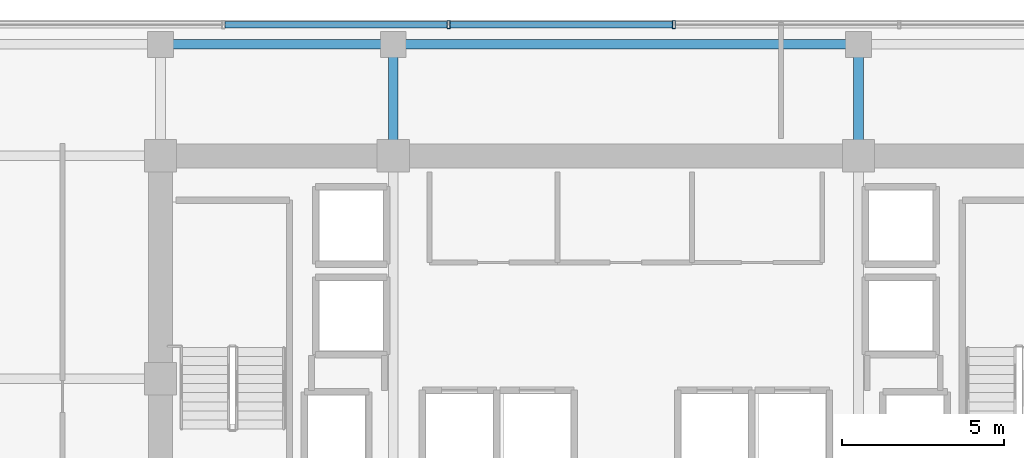
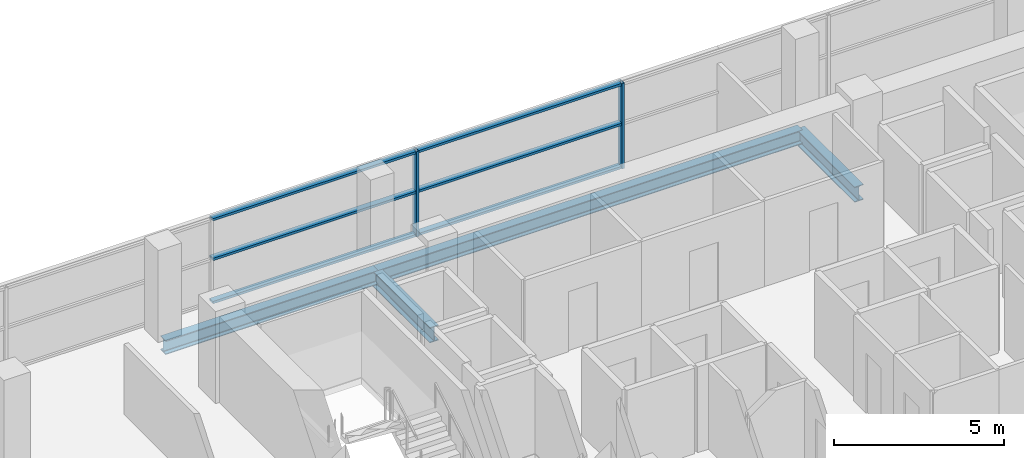
# One storey, part 16 of 27: 8 members, 4 beams, 1 element without a shape of its own.
"""IFC4 building model written with IfcOpenShell, lengths in metres."""

from ifc_helpers import new_model, si_unit, direction, frame, origin, origin_2d, place, context, subcontext, project, spatial, hollow_rectangle, i_section, extrude, source, transform, mapped, material, layer, layer_set, material_profile, profile_set, type_object, element, aggregate, save


model = new_model("IFC4")

# Units and contexts
model_context = context("Model", 3, precision=1e-05, world=origin(), true_north=direction((0.0, 1.0)))
body_context = subcontext(model_context, "Body", "Model", "MODEL_VIEW")
ifc_project = project(units=[si_unit("LENGTHUNIT", "METRE"), si_unit("AREAUNIT", "SQUARE_METRE"), si_unit("VOLUMEUNIT", "CUBIC_METRE"), si_unit("PLANEANGLEUNIT", "RADIAN"), si_unit("MASSUNIT", "GRAM", prefix="KILO")], contexts=[model_context])

# Site, building, storey
site_placement = place(None, origin())
site = spatial("IfcSite", under=ifc_project, at=site_placement, CompositionType="ELEMENT")
building_placement = place(site_placement, origin())
building = spatial("IfcBuilding", under=site, at=building_placement, Name="Zarnakvel Exchange Tower", CompositionType="ELEMENT")
storey_placement = place(building_placement, frame((0.0, 0.0, 96.699951171875)))
storey = spatial("IfcBuildingStorey", under=building, at=storey_placement, Name="L26", CompositionType="ELEMENT", Elevation=96.699951171875)

# Beams
ifc_material_1 = material(Name="Steel S355", Category="steel")
ifc_material_profile_1 = material_profile(ifc_material_1, i_section(OverallWidth=0.300048828125, OverallDepth=0.550048828125, WebThickness=0.014892578125, FlangeThickness=0.029052734375, FilletRadius=0.027099609375, at=origin_2d()))
ifc_profile_set_1 = profile_set([ifc_material_profile_1], Name="Steel S355")
beam_type_1 = type_object("IfcBeamType", Name="G-05", PredefinedType="BEAM", material=ifc_profile_set_1)
for number, where, z_axis, x_axis, name in (
    (1, (-7.199951171875, 13.5, -0.5), (0.0, 1.0, 0.0), (-1.0, 0.0, 0.0), "L26 Tower N-S Frame Beam"),
    (2, (7.199951171875, 13.5, -0.5), (0.0, 1.0, 0.0), (-1.0, 0.0, 0.0), "L26 Tower N-S Frame Beam"),
):
    element("IfcBeam", number, at=place(storey_placement, frame(where, z_axis=z_axis, x_axis=x_axis)), inside=storey, type_object=beam_type_1, Name=name, PredefinedType="BEAM", context=body_context, shape_type="SweptSolid", body=[
        extrude(i_section(OverallWidth=0.300048828125, OverallDepth=0.550048828125, WebThickness=0.014892578125, FlangeThickness=0.029052734375, FilletRadius=0.027099609375, at=origin_2d()), origin(), (0.0, 0.0, 1.0), 3.449951171875),
    ])
ifc_material_profile_2 = material_profile(ifc_material_1, i_section(OverallWidth=0.300048828125, OverallDepth=0.5, WebThickness=0.014404296875, FlangeThickness=0.028076171875, FilletRadius=0.027099609375, at=origin_2d()))
ifc_profile_set_2 = profile_set([ifc_material_profile_2], Name="Steel S355")
beam_type_2 = type_object("IfcBeamType", Name="SP-02", PredefinedType="SPANDREL", material=ifc_profile_set_2)
beam_1_placement = place(storey_placement, frame((-14.39990234375, 16.949951171875, -0.474853515625), z_axis=(1.0, 0.0, 0.0), x_axis=(0.0, 1.0, 0.0)))
element("IfcBeam", 3, at=beam_1_placement, inside=storey, type_object=beam_type_2, Name="L26 Tower E-W Frame Beam", PredefinedType="SPANDREL", context=body_context, shape_type="SweptSolid", body=[
    extrude(i_section(OverallWidth=0.300048828125, OverallDepth=0.5, WebThickness=0.014404296875, FlangeThickness=0.028076171875, FilletRadius=0.027099609375, at=origin_2d()), origin(), (0.0, 0.0, 1.0), 7.199951171875),
])
beam_2_placement = place(storey_placement, frame((-7.199951171875, 16.949951171875, -0.474853515625), z_axis=(1.0, 0.0, 0.0), x_axis=(0.0, 1.0, 0.0)))
element("IfcBeam", 4, at=beam_2_placement, inside=storey, type_object=beam_type_2, Name="L26 Tower E-W Frame Beam", PredefinedType="SPANDREL", context=body_context, shape_type="SweptSolid", body=[
    extrude(i_section(OverallWidth=0.300048828125, OverallDepth=0.5, WebThickness=0.014404296875, FlangeThickness=0.028076171875, FilletRadius=0.027099609375, at=origin_2d()), origin(), (0.0, 0.0, 1.0), 14.39990234375),
])

# Curtain wall, members
ifc_material_2 = material(Name="Architectural Bronze Anodised Aluminium", Category="aluminium")
ifc_layer = layer(ifc_material_2, 0.239990234375)
ifc_layer_set = layer_set([ifc_layer], Name="Architectural Bronze Anodised Aluminium")
curtain_wall_type = type_object("IfcCurtainWallType", Name="CW-02", PredefinedType="NOTDEFINED", material=ifc_layer_set)
curtain_wall_placement = place(storey_placement, origin())
curtain_wall = element("IfcCurtainWall", 5, at=curtain_wall_placement, inside=storey, type_object=curtain_wall_type, Name="L26 Curtain Wall CW-L26-N1 (CW-02)", PredefinedType="NOTDEFINED")
ifc_material_profile_3 = material_profile(ifc_material_2, hollow_rectangle(XDim=0.239990234375, YDim=0.090087890625, WallThickness=0.006103515625, at=origin_2d()))
ifc_profile_set_3 = profile_set([ifc_material_profile_3], Name="Architectural Bronze Anodised Aluminium")
member_type_1 = type_object("IfcMemberType", Name="CWM-02", PredefinedType="MULLION", material=ifc_profile_set_3)
shared_shape_1 = source(origin(), body_context, "Body", "SweptSolid", [
    extrude(hollow_rectangle(XDim=0.239990234375, YDim=0.090087890625, WallThickness=0.006103515625, at=origin_2d()), origin(), (0.0, 0.0, 1.0), 3.054931640625),
])
member_1_placement = place(storey_placement, frame((-5.485595703125, 17.56005859375, 0.0), z_axis=(0.0, 0.0, 1.0), x_axis=(0.0, 1.0, 0.0)))
member_1 = element("IfcMember", 6, at=member_1_placement, type_object=member_type_1, Name="CW-02 mullion 4", PredefinedType="MULLION", context=body_context, shape_type="MappedRepresentation", body=[
    mapped(shared_shape_1, transform((0.0, 0.0, 0.0), x_axis=(1.0, 0.0, 0.0), y_axis=(0.0, 1.0, 0.0), z_axis=(0.0, 0.0, 1.0), scale=1.0)),
])
member_2_placement = place(storey_placement, frame((1.485595703125, 17.56005859375, 0.0), z_axis=(0.0, 0.0, 1.0), x_axis=(0.0, 1.0, 0.0)))
member_2 = element("IfcMember", 7, at=member_2_placement, type_object=member_type_1, Name="CW-02 mullion 5", PredefinedType="MULLION", context=body_context, shape_type="MappedRepresentation", body=[
    mapped(shared_shape_1, transform((0.0, 0.0, 0.0), x_axis=(1.0, 0.0, 0.0), y_axis=(0.0, 1.0, 0.0), z_axis=(0.0, 0.0, 1.0), scale=1.0)),
])
ifc_material_profile_4 = material_profile(ifc_material_2, hollow_rectangle(XDim=0.199951171875, YDim=0.0849609375, WallThickness=0.0048828125, at=origin_2d()))
ifc_profile_set_4 = profile_set([ifc_material_profile_4], Name="Architectural Bronze Anodised Aluminium")
member_type_2 = type_object("IfcMemberType", Name="CWT-02", PredefinedType="USERDEFINED", material=ifc_profile_set_4)
shared_shape_2 = source(origin(), body_context, "Body", "SweptSolid", [
    extrude(hollow_rectangle(XDim=0.199951171875, YDim=0.0849609375, WallThickness=0.0048828125, at=origin_2d()), origin(), (0.0, 0.0, 1.0), 6.88134765625),
])
member_3_placement = place(storey_placement, frame((-12.412109375, 17.56005859375, 0.04248046875), z_axis=(1.0, 0.0, 0.0), x_axis=(0.0, 1.0, 0.0)))
member_3 = element("IfcMember", 8, at=member_3_placement, type_object=member_type_2, Name="CW-02 transom 3.1", ObjectType="TRANSOM", PredefinedType="USERDEFINED", context=body_context, shape_type="MappedRepresentation", body=[
    mapped(shared_shape_2, transform((0.0, 0.0, 0.0), x_axis=(1.0, 0.0, 0.0), y_axis=(0.0, 1.0, 0.0), z_axis=(0.0, 0.0, 1.0), scale=1.0)),
])
member_4_placement = place(storey_placement, frame((-12.412109375, 17.56005859375, 1.588623046875), z_axis=(1.0, 0.0, 0.0), x_axis=(0.0, 1.0, 0.0)))
member_4 = element("IfcMember", 9, at=member_4_placement, type_object=member_type_2, Name="CW-02 transom 3.2", ObjectType="TRANSOM", PredefinedType="USERDEFINED", context=body_context, shape_type="MappedRepresentation", body=[
    mapped(shared_shape_2, transform((0.0, 0.0, 0.0), x_axis=(1.0, 0.0, 0.0), y_axis=(0.0, 1.0, 0.0), z_axis=(0.0, 0.0, 1.0), scale=1.0)),
])
member_5_placement = place(storey_placement, frame((-12.412109375, 17.56005859375, 3.012451171875), z_axis=(1.0, 0.0, 0.0), x_axis=(0.0, 1.0, 0.0)))
member_5 = element("IfcMember", 10, at=member_5_placement, type_object=member_type_2, Name="CW-02 transom 3.3", ObjectType="TRANSOM", PredefinedType="USERDEFINED", context=body_context, shape_type="MappedRepresentation", body=[
    mapped(shared_shape_2, transform((0.0, 0.0, 0.0), x_axis=(1.0, 0.0, 0.0), y_axis=(0.0, 1.0, 0.0), z_axis=(0.0, 0.0, 1.0), scale=1.0)),
])
member_6_placement = place(storey_placement, frame((-5.440673828125, 17.56005859375, 0.04248046875), z_axis=(1.0, 0.0, 0.0), x_axis=(0.0, 1.0, 0.0)))
member_6 = element("IfcMember", 11, at=member_6_placement, type_object=member_type_2, Name="CW-02 transom 4.1", ObjectType="TRANSOM", PredefinedType="USERDEFINED", context=body_context, shape_type="MappedRepresentation", body=[
    mapped(shared_shape_2, transform((0.0, 0.0, 0.0), x_axis=(1.0, 0.0, 0.0), y_axis=(0.0, 1.0, 0.0), z_axis=(0.0, 0.0, 1.0), scale=1.0)),
])
member_7_placement = place(storey_placement, frame((-5.440673828125, 17.56005859375, 1.588623046875), z_axis=(1.0, 0.0, 0.0), x_axis=(0.0, 1.0, 0.0)))
member_7 = element("IfcMember", 12, at=member_7_placement, type_object=member_type_2, Name="CW-02 transom 4.2", ObjectType="TRANSOM", PredefinedType="USERDEFINED", context=body_context, shape_type="MappedRepresentation", body=[
    mapped(shared_shape_2, transform((0.0, 0.0, 0.0), x_axis=(1.0, 0.0, 0.0), y_axis=(0.0, 1.0, 0.0), z_axis=(0.0, 0.0, 1.0), scale=1.0)),
])
member_8_placement = place(storey_placement, frame((-5.440673828125, 17.56005859375, 3.012451171875), z_axis=(1.0, 0.0, 0.0), x_axis=(0.0, 1.0, 0.0)))
member_8 = element("IfcMember", 13, at=member_8_placement, type_object=member_type_2, Name="CW-02 transom 4.3", ObjectType="TRANSOM", PredefinedType="USERDEFINED", context=body_context, shape_type="MappedRepresentation", body=[
    mapped(shared_shape_2, transform((0.0, 0.0, 0.0), x_axis=(1.0, 0.0, 0.0), y_axis=(0.0, 1.0, 0.0), z_axis=(0.0, 0.0, 1.0), scale=1.0)),
])
aggregate(curtain_wall, [member_1, member_2, member_3, member_4, member_5, member_6, member_7, member_8])

save(model, "model.ifc")
